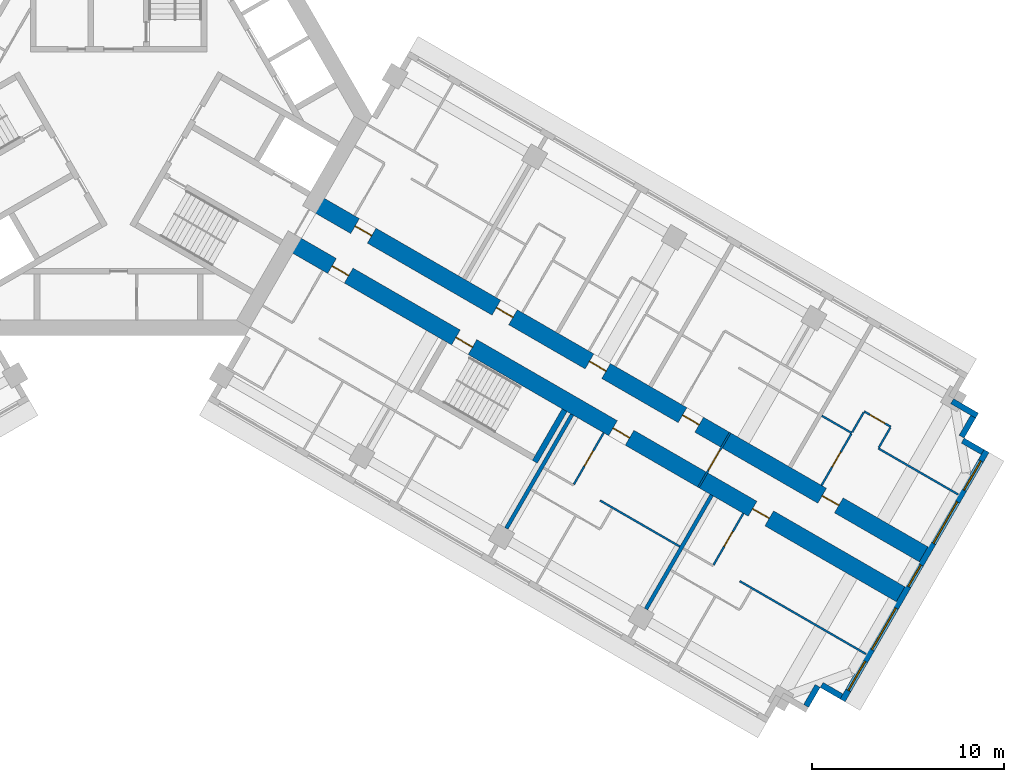
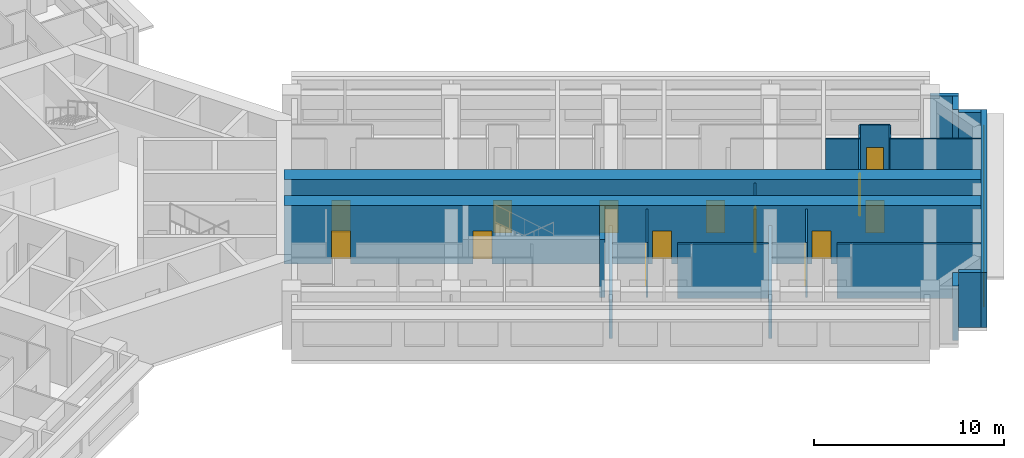
# One storey, part 11 of 14: 22 walls, 14 doors, 5 windows, 19 openings.
"""IFC4 building model written with IfcOpenShell, lengths in metres."""

from ifc_helpers import new_model, si_unit, direction, frame, frame_2d, origin, place, context, subcontext, project, spatial, rectangle, extrude, material, layer, layer_set, type_object, element, fill, save


model = new_model("IFC4")

# Units and contexts
model_context = context("Model", 3, precision=1e-05, world=origin(), true_north=direction((0.0, 1.0)))
body_context = subcontext(model_context, "Body", "Model", "MODEL_VIEW")
ifc_project = project(units=[si_unit("LENGTHUNIT", "METRE"), si_unit("AREAUNIT", "SQUARE_METRE"), si_unit("VOLUMEUNIT", "CUBIC_METRE"), si_unit("PLANEANGLEUNIT", "RADIAN"), si_unit("MASSUNIT", "GRAM", prefix="KILO")], contexts=[model_context])

# Site, building, storey
site_placement = place(None, origin())
site = spatial("IfcSite", under=ifc_project, at=site_placement, CompositionType="ELEMENT")
building_placement = place(site_placement, origin())
building = spatial("IfcBuilding", under=site, at=building_placement, Name="Impinga Residences", CompositionType="ELEMENT")
storey_placement = place(building_placement, frame((0.0, 0.0, 117.25)))
storey = spatial("IfcBuildingStorey", under=building, at=storey_placement, Name="L28", CompositionType="ELEMENT", Elevation=117.25)

# Wall, openings, doors
ifc_material_1 = material(Name="Concrete C60/75", Category="concrete")
ifc_layer_1 = layer(ifc_material_1, 0.89990234375)
ifc_layer_set_1 = layer_set([ifc_layer_1], Name="Concrete C60/75")
wall_type_1 = type_object("IfcWallType", Name="BW2 corridor buttress wall, L24 to L44 900", PredefinedType="SHEAR", material=ifc_layer_set_1)
wall_1_placement = place(storey_placement, frame((10.153564453125, -4.4765625, 0.0), z_axis=(0.0, 0.0, 1.0), x_axis=(0.866027614434, -0.499996171023, 0.0)))
wall_1 = element("IfcWall", 1, at=wall_1_placement, inside=storey, type_object=wall_type_1, Name="Corridor wall BW2 EC L28", PredefinedType="SHEAR", context=body_context, shape_type="SweptSolid", body=[
    extrude(rectangle(XDim=36.699951171875, YDim=0.89990234375, at=frame_2d((18.35009765625, 0.0))), origin(), (0.0, 0.0, 1.0), 3.75),
])
opening_1_placement = place(wall_1_placement, frame((2.5, 0.0, 0.0)))
opening_1 = element("IfcOpeningElement", 2, at=opening_1_placement, cuts=wall_1, Name="Opening D1", PredefinedType="OPENING", context=body_context, shape_type="SweptSolid", body=[
    extrude(rectangle(XDim=1.0, YDim=2.10009765625, at=frame_2d((0.5, 1.050048828125))), frame((0.0, 0.4599609375, 0.0), z_axis=(0.0, -1.0, 0.0), x_axis=(1.0, 0.0, 0.0)), (0.0, 0.0, 1.0), 0.919921875),
])
opening_2_placement = place(wall_1_placement, frame((11.0, 0.0, 0.0)))
opening_2 = element("IfcOpeningElement", 3, at=opening_2_placement, cuts=wall_1, Name="Opening D1", PredefinedType="OPENING", context=body_context, shape_type="SweptSolid", body=[
    extrude(rectangle(XDim=1.0, YDim=2.10009765625, at=frame_2d((0.5, 1.050048828125))), frame((0.0, 0.4599609375, 0.0), z_axis=(0.0, -1.0, 0.0), x_axis=(1.0, 0.0, 0.0)), (0.0, 0.0, 1.0), 0.919921875),
])
opening_3_placement = place(wall_1_placement, frame((16.60009765625, 0.0, 0.0)))
opening_3 = element("IfcOpeningElement", 4, at=opening_3_placement, cuts=wall_1, Name="Opening D1", PredefinedType="OPENING", context=body_context, shape_type="SweptSolid", body=[
    extrude(rectangle(XDim=1.0, YDim=2.10009765625, at=frame_2d((0.5, 1.050048828125))), frame((0.0, 0.4599609375, 0.0), z_axis=(0.0, -1.0, 0.0), x_axis=(1.0, 0.0, 0.0)), (0.0, 0.0, 1.0), 0.919921875),
])
opening_4_placement = place(wall_1_placement, frame((22.199951171875, 0.0, 0.0)))
opening_4 = element("IfcOpeningElement", 5, at=opening_4_placement, cuts=wall_1, Name="Opening D1", PredefinedType="OPENING", context=body_context, shape_type="SweptSolid", body=[
    extrude(rectangle(XDim=1.0, YDim=2.10009765625, at=frame_2d((0.5, 1.050048828125))), frame((0.0, 0.4599609375, 0.0), z_axis=(0.0, -1.0, 0.0), x_axis=(1.0, 0.0, 0.0)), (0.0, 0.0, 1.0), 0.919921875),
])
opening_5_placement = place(wall_1_placement, frame((30.60009765625, 0.0, 0.0)))
opening_5 = element("IfcOpeningElement", 6, at=opening_5_placement, cuts=wall_1, Name="Opening D1", PredefinedType="OPENING", context=body_context, shape_type="SweptSolid", body=[
    extrude(rectangle(XDim=1.0, YDim=2.10009765625, at=frame_2d((0.5, 1.050048828125))), frame((0.0, 0.4599609375, 0.0), z_axis=(0.0, -1.0, 0.0), x_axis=(1.0, 0.0, 0.0)), (0.0, 0.0, 1.0), 0.919921875),
])
ifc_material_2 = material(Name="Timber door set", Category="wood")
door_type_1 = type_object("IfcDoorType", Name="D1 apartment entrance door 1000x2100", OperationType="SINGLE_SWING_LEFT", PredefinedType="DOOR", material=ifc_material_2)
door_1_placement = place(opening_1_placement, origin())
door_1 = element("IfcDoor", 7, at=door_1_placement, inside=storey, type_object=door_type_1, Name="Apartment L28-EA1 entrance", OperationType="SINGLE_SWING_LEFT", OverallHeight=2.10009765625, OverallWidth=1.0, PredefinedType="DOOR", context=body_context, shape_type="SweptSolid", body=[
    extrude(rectangle(XDim=1.0, YDim=2.10009765625, at=frame_2d((0.5, 1.050048828125))), frame((0.0, 0.02490234375, 0.0), z_axis=(0.0, -1.0, 0.0), x_axis=(1.0, 0.0, 0.0)), (0.0, 0.0, 1.0), 0.050048828125),
])
fill(opening_1, door_1)
door_2_placement = place(opening_2_placement, origin())
door_2 = element("IfcDoor", 8, at=door_2_placement, inside=storey, type_object=door_type_1, Name="Apartment L28-EA2 entrance", OperationType="SINGLE_SWING_LEFT", OverallHeight=2.10009765625, OverallWidth=1.0, PredefinedType="DOOR", context=body_context, shape_type="SweptSolid", body=[
    extrude(rectangle(XDim=1.0, YDim=2.10009765625, at=frame_2d((0.5, 1.050048828125))), frame((0.0, 0.02490234375, 0.0), z_axis=(0.0, -1.0, 0.0), x_axis=(1.0, 0.0, 0.0)), (0.0, 0.0, 1.0), 0.050048828125),
])
fill(opening_2, door_2)
door_3_placement = place(opening_3_placement, origin())
door_3 = element("IfcDoor", 9, at=door_3_placement, inside=storey, type_object=door_type_1, Name="Apartment L28-EA3 entrance", OperationType="SINGLE_SWING_LEFT", OverallHeight=2.10009765625, OverallWidth=1.0, PredefinedType="DOOR", context=body_context, shape_type="SweptSolid", body=[
    extrude(rectangle(XDim=1.0, YDim=2.10009765625, at=frame_2d((0.5, 1.050048828125))), frame((0.0, 0.02490234375, 0.0), z_axis=(0.0, -1.0, 0.0), x_axis=(1.0, 0.0, 0.0)), (0.0, 0.0, 1.0), 0.050048828125),
])
fill(opening_3, door_3)
door_4_placement = place(opening_4_placement, origin())
door_4 = element("IfcDoor", 10, at=door_4_placement, inside=storey, type_object=door_type_1, Name="Apartment L28-EA4 entrance", OperationType="SINGLE_SWING_RIGHT", OverallHeight=2.10009765625, OverallWidth=1.0, PredefinedType="DOOR", context=body_context, shape_type="SweptSolid", body=[
    extrude(rectangle(XDim=1.0, YDim=2.10009765625, at=frame_2d((0.5, 1.050048828125))), frame((0.0, 0.02490234375, 0.0), z_axis=(0.0, -1.0, 0.0), x_axis=(1.0, 0.0, 0.0)), (0.0, 0.0, 1.0), 0.050048828125),
])
fill(opening_4, door_4)
door_5_placement = place(opening_5_placement, origin())
door_5 = element("IfcDoor", 11, at=door_5_placement, inside=storey, type_object=door_type_1, Name="Apartment L28-EA5 entrance", OperationType="SINGLE_SWING_RIGHT", OverallHeight=2.10009765625, OverallWidth=1.0, PredefinedType="DOOR", context=body_context, shape_type="SweptSolid", body=[
    extrude(rectangle(XDim=1.0, YDim=2.10009765625, at=frame_2d((0.5, 1.050048828125))), frame((0.0, 0.02490234375, 0.0), z_axis=(0.0, -1.0, 0.0), x_axis=(1.0, 0.0, 0.0)), (0.0, 0.0, 1.0), 0.050048828125),
])
fill(opening_5, door_5)

wall_2_placement = place(storey_placement, frame((8.95361328125, -6.554931640625, 0.0), z_axis=(0.0, 0.0, 1.0), x_axis=(0.866024733898, -0.500001160275, 0.0)))
wall_2 = element("IfcWall", 12, at=wall_2_placement, inside=storey, type_object=wall_type_1, Name="Corridor wall BW2 ED L28", PredefinedType="SHEAR", context=body_context, shape_type="SweptSolid", body=[
    extrude(rectangle(XDim=36.7001953125, YDim=0.89990234375, at=frame_2d((18.35009765625, 0.0))), origin(), (0.0, 0.0, 1.0), 3.75),
])
opening_6_placement = place(wall_2_placement, frame((9.949951171875, 0.0, 0.0)))
opening_6 = element("IfcOpeningElement", 13, at=opening_6_placement, cuts=wall_2, Name="Opening D5", PredefinedType="OPENING", context=body_context, shape_type="SweptSolid", body=[
    extrude(rectangle(XDim=1.0, YDim=2.10009765625, at=frame_2d((0.5, 1.050048828125))), frame((0.0, 0.4599609375, 0.0), z_axis=(0.0, -1.0, 0.0), x_axis=(1.0, 0.0, 0.0)), (0.0, 0.0, 1.0), 0.919921875),
])
opening_7_placement = place(wall_2_placement, frame((2.5, 0.0, 0.0)))
opening_7 = element("IfcOpeningElement", 14, at=opening_7_placement, cuts=wall_2, Name="Opening D1", PredefinedType="OPENING", context=body_context, shape_type="SweptSolid", body=[
    extrude(rectangle(XDim=1.0, YDim=2.10009765625, at=frame_2d((0.5, 1.050048828125))), frame((0.0, 0.4599609375, 0.0), z_axis=(0.0, -1.0, 0.0), x_axis=(1.0, 0.0, 0.0)), (0.0, 0.0, 1.0), 0.919921875),
])
opening_8_placement = place(wall_2_placement, frame((19.39990234375, 0.0, 0.0)))
opening_8 = element("IfcOpeningElement", 15, at=opening_8_placement, cuts=wall_2, Name="Opening D1", PredefinedType="OPENING", context=body_context, shape_type="SweptSolid", body=[
    extrude(rectangle(XDim=1.0, YDim=2.10009765625, at=frame_2d((0.5, 1.050048828125))), frame((0.0, 0.4599609375, 0.0), z_axis=(0.0, -1.0, 0.0), x_axis=(1.0, 0.0, 0.0)), (0.0, 0.0, 1.0), 0.919921875),
])
opening_9_placement = place(wall_2_placement, frame((27.800048828125, 0.0, 0.0)))
opening_9 = element("IfcOpeningElement", 16, at=opening_9_placement, cuts=wall_2, Name="Opening D1", PredefinedType="OPENING", context=body_context, shape_type="SweptSolid", body=[
    extrude(rectangle(XDim=1.0, YDim=2.10009765625, at=frame_2d((0.5, 1.050048828125))), frame((0.0, 0.4599609375, 0.0), z_axis=(0.0, -1.0, 0.0), x_axis=(1.0, 0.0, 0.0)), (0.0, 0.0, 1.0), 0.919921875),
])
door_6_placement = place(opening_7_placement, origin())
door_6 = element("IfcDoor", 17, at=door_6_placement, inside=storey, type_object=door_type_1, Name="Apartment L28-EF1 entrance", OperationType="SINGLE_SWING_LEFT", OverallHeight=2.10009765625, OverallWidth=1.0, PredefinedType="DOOR", context=body_context, shape_type="SweptSolid", body=[
    extrude(rectangle(XDim=1.0, YDim=2.10009765625, at=frame_2d((0.5, 1.050048828125))), frame((0.0, 0.02490234375, 0.0), z_axis=(0.0, -1.0, 0.0), x_axis=(1.0, 0.0, 0.0)), (0.0, 0.0, 1.0), 0.050048828125),
])
fill(opening_7, door_6)
door_7_placement = place(opening_8_placement, origin())
door_7 = element("IfcDoor", 18, at=door_7_placement, inside=storey, type_object=door_type_1, Name="Apartment L28-EF2 entrance", OperationType="SINGLE_SWING_RIGHT", OverallHeight=2.10009765625, OverallWidth=1.0, PredefinedType="DOOR", context=body_context, shape_type="SweptSolid", body=[
    extrude(rectangle(XDim=1.0, YDim=2.10009765625, at=frame_2d((0.5, 1.050048828125))), frame((0.0, 0.02490234375, 0.0), z_axis=(0.0, -1.0, 0.0), x_axis=(1.0, 0.0, 0.0)), (0.0, 0.0, 1.0), 0.050048828125),
])
fill(opening_8, door_7)
door_8_placement = place(opening_9_placement, origin())
door_8 = element("IfcDoor", 19, at=door_8_placement, inside=storey, type_object=door_type_1, Name="Apartment L28-EF3 entrance", OperationType="SINGLE_SWING_RIGHT", OverallHeight=2.10009765625, OverallWidth=1.0, PredefinedType="DOOR", context=body_context, shape_type="SweptSolid", body=[
    extrude(rectangle(XDim=1.0, YDim=2.10009765625, at=frame_2d((0.5, 1.050048828125))), frame((0.0, 0.02490234375, 0.0), z_axis=(0.0, -1.0, 0.0), x_axis=(1.0, 0.0, 0.0)), (0.0, 0.0, 1.0), 0.050048828125),
])
fill(opening_9, door_8)
door_type_2 = type_object("IfcDoorType", Name="D5 stair door 1000x2100", OperationType="SINGLE_SWING_LEFT", PredefinedType="DOOR", material=ifc_material_2)
door_9_placement = place(opening_6_placement, origin())
door_9 = element("IfcDoor", 20, at=door_9_placement, inside=storey, type_object=door_type_2, Name="Wing stair door E", OperationType="SINGLE_SWING_LEFT", OverallHeight=2.10009765625, OverallWidth=1.0, PredefinedType="DOOR", context=body_context, shape_type="SweptSolid", body=[
    extrude(rectangle(XDim=1.0, YDim=2.10009765625, at=frame_2d((0.5, 1.050048828125))), frame((0.0, 0.02490234375, 0.0), z_axis=(0.0, -1.0, 0.0), x_axis=(1.0, 0.0, 0.0)), (0.0, 0.0, 1.0), 0.050048828125),
])
fill(opening_6, door_9)

# Wall, opening, door
ifc_material_3 = material(Name="Concrete blockwork", Category="masonry")
ifc_layer_2 = layer(ifc_material_3, 0.10009765625)
ifc_layer_set_2 = layer_set([ifc_layer_2], Name="CP1 core room partition, blockwork 100")
wall_type_2 = type_object("IfcWallType", Name="CP1 core room partition, blockwork 100", PredefinedType="PARTITIONING", material=ifc_layer_set_2)
wall_3_placement = place(storey_placement, frame((31.85595703125, -16.48681640625, 0.0), z_axis=(0.0, 0.0, 1.0), x_axis=(-0.499974350878, -0.866040211805, 0.0)))
wall_3 = element("IfcWall", 21, at=wall_3_placement, inside=storey, type_object=wall_type_2, Name="Core room partition, blockwork L28:E:PLB", PredefinedType="PARTITIONING", context=body_context, shape_type="SweptSolid", body=[
    extrude(rectangle(XDim=3.300048828125, YDim=0.10009765625, at=frame_2d((1.64990234375, 0.0))), origin(), (0.0, 0.0, 1.0), 3.530029296875),
])
opening_10_placement = place(wall_3_placement, frame((1.050048828125, 0.0, 0.0)))
opening_10 = element("IfcOpeningElement", 22, at=opening_10_placement, cuts=wall_3, Name="Opening D3", PredefinedType="OPENING", context=body_context, shape_type="SweptSolid", body=[
    extrude(rectangle(XDim=1.199951171875, YDim=2.10009765625, at=frame_2d((0.60009765625, 1.050048828125))), frame((0.0, 0.06005859375, 0.0), z_axis=(0.0, -1.0, 0.0), x_axis=(1.0, 0.0, 0.0)), (0.0, 0.0, 1.0), 0.1201171875),
])
door_type_3 = type_object("IfcDoorType", Name="D3 room door, leaf and a half 1200x2100", OperationType="DOUBLE_SWING_LEFT", PredefinedType="DOOR", material=ifc_material_2)
door_10_placement = place(opening_10_placement, origin())
door_10 = element("IfcDoor", 23, at=door_10_placement, inside=storey, type_object=door_type_3, Name="Private lobby door E", OperationType="DOUBLE_SWING_LEFT", OverallHeight=2.10009765625, OverallWidth=1.199951171875, PredefinedType="DOOR", context=body_context, shape_type="SweptSolid", body=[
    extrude(rectangle(XDim=1.199951171875, YDim=2.10009765625, at=frame_2d((0.60009765625, 1.050048828125))), frame((0.0, 0.02490234375, 0.0), z_axis=(0.0, -1.0, 0.0), x_axis=(1.0, 0.0, 0.0)), (0.0, 0.0, 1.0), 0.050048828125),
])
fill(opening_10, door_10)

# Walls
ifc_material_4 = material(Name="Terracotta rainscreen on blockwork", Category="masonry")
ifc_layer_3 = layer(ifc_material_4, 0.300048828125)
ifc_layer_set_3 = layer_set([ifc_layer_3], Name="EW1 external wall, terracotta rainscreen on blockwork 300")
wall_type_3 = type_object("IfcWallType", Name="EW1 external wall, terracotta rainscreen on blockwork 300", PredefinedType="SOLIDWALL", material=ifc_layer_set_3)
wall_4_placement = place(storey_placement, frame((43.42333984375, -14.8515625, 0.0), z_axis=(0.0, 0.0, 1.0), x_axis=(0.866031096941, -0.499990139034, 0.0)))
element("IfcWall", 24, at=wall_4_placement, inside=storey, type_object=wall_type_3, Name="External wall EW1 L28", PredefinedType="SOLIDWALL", context=body_context, shape_type="SweptSolid", body=[
    extrude(rectangle(XDim=1.5, YDim=0.300048828125, at=frame_2d((0.75, 0.0))), origin(), (0.0, 0.0, 1.0), 3.530029296875),
])
wall_5_placement = place(storey_placement, frame((44.517578125, -15.65625, 0.0), z_axis=(0.0, 0.0, 1.0), x_axis=(-0.500033551112, -0.866006032174, 0.0)))
element("IfcWall", 25, at=wall_5_placement, inside=storey, type_object=wall_type_3, Name="External wall EW1 L28", PredefinedType="SOLIDWALL", context=body_context, shape_type="SweptSolid", body=[
    extrude(rectangle(XDim=1.2001953125, YDim=0.300048828125, at=frame_2d((0.60009765625, 0.0))), origin(), (0.0, 0.0, 1.0), 3.530029296875),
])
wall_6_placement = place(storey_placement, frame((43.976806640625, -16.903076171875, 0.0), z_axis=(0.0, 0.0, 1.0), x_axis=(0.866059708757, -0.499940577336, 0.0)))
element("IfcWall", 26, at=wall_6_placement, inside=storey, type_object=wall_type_3, Name="External wall EW1 L28", PredefinedType="SOLIDWALL", context=body_context, shape_type="SweptSolid", body=[
    extrude(rectangle(XDim=1.195068359375, YDim=0.300048828125, at=frame_2d((0.59765625, 0.0))), origin(), (0.0, 0.0, 1.0), 3.530029296875),
])

# Wall, openings, windows
wall_7_placement = place(storey_placement, frame((45.216552734375, -17.445556640625, 0.0), z_axis=(0.0, 0.0, 1.0), x_axis=(-0.499997186618, -0.866027028085, 0.0)))
wall_7 = element("IfcWall", 27, at=wall_7_placement, inside=storey, type_object=wall_type_3, Name="External wall EW1 L28", PredefinedType="SOLIDWALL", context=body_context, shape_type="SweptSolid", body=[
    extrude(rectangle(XDim=15.0, YDim=0.300048828125, at=frame_2d((7.5, 0.0))), origin(), (0.0, 0.0, 1.0), 3.530029296875),
])
opening_11_placement = place(wall_7_placement, frame((0.60009765625, 0.0, 0.89990234375)))
opening_11 = element("IfcOpeningElement", 28, at=opening_11_placement, cuts=wall_7, Name="Opening W1", PredefinedType="OPENING", context=body_context, shape_type="SweptSolid", body=[
    extrude(rectangle(XDim=1.75, YDim=2.050048828125, at=frame_2d((0.875, 1.02490234375))), frame((0.0, 0.159912109375, 0.0), z_axis=(0.0, -1.0, 0.0), x_axis=(1.0, 0.0, 0.0)), (0.0, 0.0, 1.0), 0.320068359375),
])
opening_12_placement = place(wall_7_placement, frame((3.050048828125, 0.0, 0.89990234375)))
opening_12 = element("IfcOpeningElement", 29, at=opening_12_placement, cuts=wall_7, Name="Opening W2", PredefinedType="OPENING", context=body_context, shape_type="SweptSolid", body=[
    extrude(rectangle(XDim=2.5, YDim=2.050048828125, at=frame_2d((1.25, 1.02490234375))), frame((0.0, 0.159912109375, 0.0), z_axis=(0.0, -1.0, 0.0), x_axis=(1.0, 0.0, 0.0)), (0.0, 0.0, 1.0), 0.320068359375),
])
opening_13_placement = place(wall_7_placement, frame((6.85009765625, 0.0, 0.89990234375)))
opening_13 = element("IfcOpeningElement", 30, at=opening_13_placement, cuts=wall_7, Name="Opening W17", PredefinedType="OPENING", context=body_context, shape_type="SweptSolid", body=[
    extrude(rectangle(XDim=1.300048828125, YDim=2.050048828125, at=frame_2d((0.64990234375, 1.02490234375))), frame((0.0, 0.159912109375, 0.0), z_axis=(0.0, -1.0, 0.0), x_axis=(1.0, 0.0, 0.0)), (0.0, 0.0, 1.0), 0.320068359375),
])
opening_14_placement = place(wall_7_placement, frame((9.449951171875, 0.0, 0.89990234375)))
opening_14 = element("IfcOpeningElement", 31, at=opening_14_placement, cuts=wall_7, Name="Opening W2", PredefinedType="OPENING", context=body_context, shape_type="SweptSolid", body=[
    extrude(rectangle(XDim=2.5, YDim=2.050048828125, at=frame_2d((1.25, 1.02490234375))), frame((0.0, 0.159912109375, 0.0), z_axis=(0.0, -1.0, 0.0), x_axis=(1.0, 0.0, 0.0)), (0.0, 0.0, 1.0), 0.320068359375),
])
opening_15_placement = place(wall_7_placement, frame((12.64990234375, 0.0, 0.89990234375)))
opening_15 = element("IfcOpeningElement", 32, at=opening_15_placement, cuts=wall_7, Name="Opening W1", PredefinedType="OPENING", context=body_context, shape_type="SweptSolid", body=[
    extrude(rectangle(XDim=1.75, YDim=2.050048828125, at=frame_2d((0.875, 1.02490234375))), frame((0.0, 0.159912109375, 0.0), z_axis=(0.0, -1.0, 0.0), x_axis=(1.0, 0.0, 0.0)), (0.0, 0.0, 1.0), 0.320068359375),
])
ifc_material_5 = material(Name="Aluminium window, clear double glazing", Category="aluminium")
window_type_1 = type_object("IfcWindowType", Name="W1 ribbon window 1750x2050", PartitioningType="SINGLE_PANEL", PredefinedType="WINDOW", material=ifc_material_5)
window_1_placement = place(opening_11_placement, origin())
window_1 = element("IfcWindow", 33, at=window_1_placement, inside=storey, type_object=window_type_1, Name="Window L28", OverallHeight=2.050048828125, OverallWidth=1.75, PartitioningType="SINGLE_PANEL", PredefinedType="WINDOW", context=body_context, shape_type="SweptSolid", body=[
    extrude(rectangle(XDim=1.75, YDim=2.050048828125, at=frame_2d((0.875, 1.02490234375))), frame((0.0, 0.030029296875, 0.0), z_axis=(0.0, -1.0, 0.0), x_axis=(1.0, 0.0, 0.0)), (0.0, 0.0, 1.0), 0.06005859375),
])
fill(opening_11, window_1)
window_2_placement = place(opening_15_placement, origin())
window_2 = element("IfcWindow", 34, at=window_2_placement, inside=storey, type_object=window_type_1, Name="Window L28", OverallHeight=2.050048828125, OverallWidth=1.75, PartitioningType="SINGLE_PANEL", PredefinedType="WINDOW", context=body_context, shape_type="SweptSolid", body=[
    extrude(rectangle(XDim=1.75, YDim=2.050048828125, at=frame_2d((0.875, 1.02490234375))), frame((0.0, 0.030029296875, 0.0), z_axis=(0.0, -1.0, 0.0), x_axis=(1.0, 0.0, 0.0)), (0.0, 0.0, 1.0), 0.06005859375),
])
fill(opening_15, window_2)
window_type_2 = type_object("IfcWindowType", Name="W17 ribbon window 1300x2050", PartitioningType="SINGLE_PANEL", PredefinedType="WINDOW", material=ifc_material_5)
window_3_placement = place(opening_13_placement, origin())
window_3 = element("IfcWindow", 35, at=window_3_placement, inside=storey, type_object=window_type_2, Name="Window L28", OverallHeight=2.050048828125, OverallWidth=1.300048828125, PartitioningType="SINGLE_PANEL", PredefinedType="WINDOW", context=body_context, shape_type="SweptSolid", body=[
    extrude(rectangle(XDim=1.300048828125, YDim=2.050048828125, at=frame_2d((0.64990234375, 1.02490234375))), frame((0.0, 0.030029296875, 0.0), z_axis=(0.0, -1.0, 0.0), x_axis=(1.0, 0.0, 0.0)), (0.0, 0.0, 1.0), 0.06005859375),
])
fill(opening_13, window_3)
window_type_3 = type_object("IfcWindowType", Name="W2 ribbon window 2500x2050", PartitioningType="SINGLE_PANEL", PredefinedType="WINDOW", material=ifc_material_5)
window_4_placement = place(opening_12_placement, origin())
window_4 = element("IfcWindow", 36, at=window_4_placement, inside=storey, type_object=window_type_3, Name="Window L28", OverallHeight=2.050048828125, OverallWidth=2.5, PartitioningType="SINGLE_PANEL", PredefinedType="WINDOW", context=body_context, shape_type="SweptSolid", body=[
    extrude(rectangle(XDim=2.5, YDim=2.050048828125, at=frame_2d((1.25, 1.02490234375))), frame((0.0, 0.030029296875, 0.0), z_axis=(0.0, -1.0, 0.0), x_axis=(1.0, 0.0, 0.0)), (0.0, 0.0, 1.0), 0.06005859375),
])
fill(opening_12, window_4)
window_5_placement = place(opening_14_placement, origin())
window_5 = element("IfcWindow", 37, at=window_5_placement, inside=storey, type_object=window_type_3, Name="Window L28", OverallHeight=2.050048828125, OverallWidth=2.5, PartitioningType="SINGLE_PANEL", PredefinedType="WINDOW", context=body_context, shape_type="SweptSolid", body=[
    extrude(rectangle(XDim=2.5, YDim=2.050048828125, at=frame_2d((1.25, 1.02490234375))), frame((0.0, 0.030029296875, 0.0), z_axis=(0.0, -1.0, 0.0), x_axis=(1.0, 0.0, 0.0)), (0.0, 0.0, 1.0), 0.06005859375),
])
fill(opening_14, window_5)

# Walls
wall_8_placement = place(storey_placement, frame((37.66162109375, -30.23095703125, 0.0), z_axis=(0.0, 0.0, 1.0), x_axis=(-0.866059708757, 0.499940577336, 0.0)))
element("IfcWall", 38, at=wall_8_placement, inside=storey, type_object=wall_type_3, Name="External wall EW1 L28", PredefinedType="SOLIDWALL", context=body_context, shape_type="SweptSolid", body=[
    extrude(rectangle(XDim=1.195068359375, YDim=0.300048828125, at=frame_2d((0.59765625, 0.0))), origin(), (0.0, 0.0, 1.0), 3.530029296875),
])
wall_9_placement = place(storey_placement, frame((36.41748046875, -29.68603515625, 0.0), z_axis=(0.0, 0.0, 1.0), x_axis=(-0.499969057507, -0.866043267704, 0.0)))
element("IfcWall", 39, at=wall_9_placement, inside=storey, type_object=wall_type_3, Name="External wall EW1 L28", PredefinedType="SOLIDWALL", context=body_context, shape_type="SweptSolid", body=[
    extrude(rectangle(XDim=1.19970703125, YDim=0.300048828125, at=frame_2d((0.599853515625, 0.0))), origin(), (0.0, 0.0, 1.0), 3.530029296875),
])
ifc_material_6 = material(Name="Gypsum board on steel studs", Category="steel")
ifc_layer_4 = layer(ifc_material_6, 0.10009765625)
ifc_layer_set_4 = layer_set([ifc_layer_4], Name="Gypsum board on steel studs")
wall_type_4 = type_object("IfcWallType", Name="IP1 partition 100", PredefinedType="PARTITIONING", material=ifc_layer_set_4)
wall_10_placement = place(storey_placement, frame((36.63525390625, -15.60888671875, 0.0), z_axis=(0.0, 0.0, 1.0), x_axis=(0.866047807691, -0.499961193289, 0.0)))
element("IfcWall", 40, at=wall_10_placement, inside=storey, type_object=wall_type_4, Name="Partition L28-EA5:DIV0", PredefinedType="PARTITIONING", context=body_context, shape_type="SweptSolid", body=[
    extrude(rectangle(XDim=1.800048828125, YDim=0.10009765625, at=frame_2d((0.89990234375, 0.0))), origin(), (0.0, 0.0, 1.0), 3.530029296875),
])
wall_11_placement = place(storey_placement, frame((39.579833984375, -17.308837890625, 0.0), z_axis=(0.0, 0.0, 1.0), x_axis=(0.866037363387, -0.499979284789, 0.0)))
element("IfcWall", 41, at=wall_11_placement, inside=storey, type_object=wall_type_4, Name="Partition L28-EA5:DIV1", PredefinedType="PARTITIONING", context=body_context, shape_type="SweptSolid", body=[
    extrude(rectangle(XDim=4.800048828125, YDim=0.10009765625, at=frame_2d((2.39990234375, 0.0))), origin(), (0.0, 0.0, 1.0), 3.530029296875),
])

# Wall, opening, door
wall_12_placement = place(storey_placement, frame((38.84423828125, -15.383056640625, 0.0), z_axis=(0.0, 0.0, 1.0), x_axis=(0.865989903783, -0.500061482766, 0.0)))
wall_12 = element("IfcWall", 42, at=wall_12_placement, inside=storey, type_object=wall_type_4, Name="Partition L28-EA5:STRIP", PredefinedType="PARTITIONING", context=body_context, shape_type="SweptSolid", body=[
    extrude(rectangle(XDim=1.599853515625, YDim=0.10009765625, at=frame_2d((0.7998046875, 0.0))), origin(), (0.0, 0.0, 1.0), 3.530029296875),
])
opening_16_placement = place(wall_12_placement, frame((0.35009765625, 0.0, 0.0)))
opening_16 = element("IfcOpeningElement", 43, at=opening_16_placement, cuts=wall_12, Name="Opening D2", PredefinedType="OPENING", context=body_context, shape_type="SweptSolid", body=[
    extrude(rectangle(XDim=0.89990234375, YDim=2.10009765625, at=frame_2d((0.449951171875, 1.050048828125))), frame((0.0, 0.06005859375, 0.0), z_axis=(0.0, -1.0, 0.0), x_axis=(1.0, 0.0, 0.0)), (0.0, 0.0, 1.0), 0.1201171875),
])
door_type_4 = type_object("IfcDoorType", Name="D2 internal door 900x2100", OperationType="SINGLE_SWING_LEFT", PredefinedType="DOOR", material=ifc_material_2)
door_11_placement = place(opening_16_placement, origin())
door_11 = element("IfcDoor", 44, at=door_11_placement, inside=storey, type_object=door_type_4, Name="Apartment L28-EA5 room door", OperationType="SINGLE_SWING_LEFT", OverallHeight=2.10009765625, OverallWidth=0.89990234375, PredefinedType="DOOR", context=body_context, shape_type="SweptSolid", body=[
    extrude(rectangle(XDim=0.89990234375, YDim=2.10009765625, at=frame_2d((0.449951171875, 1.050048828125))), frame((0.0, 0.02490234375, 0.0), z_axis=(0.0, -1.0, 0.0), x_axis=(1.0, 0.0, 0.0)), (0.0, 0.0, 1.0), 0.050048828125),
])
fill(opening_16, door_11)

# Walls
wall_13_placement = place(storey_placement, frame((38.21923828125, -16.465576171875, 0.0), z_axis=(0.0, 0.0, 1.0), x_axis=(0.499880961361, 0.866094119867, 0.0)))
element("IfcWall", 45, at=wall_13_placement, inside=storey, type_object=wall_type_4, Name="Partition L28-EA5:SE0", PredefinedType="PARTITIONING", context=body_context, shape_type="SweptSolid", body=[
    extrude(rectangle(XDim=1.199951171875, YDim=0.10009765625, at=frame_2d((0.60009765625, 0.0))), origin(), (0.0, 0.0, 1.0), 3.530029296875),
])
wall_14_placement = place(storey_placement, frame((39.604736328125, -17.265625, 0.0), z_axis=(0.0, 0.0, 1.0), x_axis=(0.500033551112, 0.866006032174, 0.0)))
element("IfcWall", 46, at=wall_14_placement, inside=storey, type_object=wall_type_4, Name="Partition L28-EA5:SE1", PredefinedType="PARTITIONING", context=body_context, shape_type="SweptSolid", body=[
    extrude(rectangle(XDim=1.2001953125, YDim=0.10009765625, at=frame_2d((0.60009765625, 0.0))), origin(), (0.0, 0.0, 1.0), 3.530029296875),
])

# Wall, opening, door
wall_15_placement = place(storey_placement, frame((36.619140625, -19.23681640625, 0.0), z_axis=(0.0, 0.0, 1.0), x_axis=(0.500026960575, 0.86600983753, 0.0)))
wall_15 = element("IfcWall", 47, at=wall_15_placement, inside=storey, type_object=wall_type_4, Name="Partition L28-EA5:IB1", PredefinedType="PARTITIONING", context=body_context, shape_type="SweptSolid", body=[
    extrude(rectangle(XDim=3.099853515625, YDim=0.10009765625, at=frame_2d((1.5498046875, 0.0))), origin(), (0.0, 0.0, 1.0), 3.530029296875),
])
opening_17_placement = place(wall_15_placement, frame((1.10009765625, 0.0, 0.0)))
opening_17 = element("IfcOpeningElement", 48, at=opening_17_placement, cuts=wall_15, Name="Opening D2", PredefinedType="OPENING", context=body_context, shape_type="SweptSolid", body=[
    extrude(rectangle(XDim=0.89990234375, YDim=2.10009765625, at=frame_2d((0.449951171875, 1.050048828125))), frame((0.0, 0.06005859375, 0.0), z_axis=(0.0, -1.0, 0.0), x_axis=(1.0, 0.0, 0.0)), (0.0, 0.0, 1.0), 0.1201171875),
])
door_12_placement = place(opening_17_placement, origin())
door_12 = element("IfcDoor", 49, at=door_12_placement, inside=storey, type_object=door_type_4, Name="Apartment L28-EA5 bathroom door", OperationType="SINGLE_SWING_LEFT", OverallHeight=2.10009765625, OverallWidth=0.89990234375, PredefinedType="DOOR", context=body_context, shape_type="SweptSolid", body=[
    extrude(rectangle(XDim=0.89990234375, YDim=2.10009765625, at=frame_2d((0.449951171875, 1.050048828125))), frame((0.0, 0.02490234375, 0.0), z_axis=(0.0, -1.0, 0.0), x_axis=(1.0, 0.0, 0.0)), (0.0, 0.0, 1.0), 0.050048828125),
])
fill(opening_17, door_12)

# Wall
wall_16_placement = place(storey_placement, frame((25.080322265625, -20.022705078125, 0.0), z_axis=(0.0, 0.0, 1.0), x_axis=(0.866037363387, -0.499979284789, 0.0)))
element("IfcWall", 50, at=wall_16_placement, inside=storey, type_object=wall_type_4, Name="Partition L28-EF2:DIV1", PredefinedType="PARTITIONING", context=body_context, shape_type="SweptSolid", body=[
    extrude(rectangle(XDim=4.800048828125, YDim=0.10009765625, at=frame_2d((2.39990234375, 0.0))), origin(), (0.0, 0.0, 1.0), 3.530029296875),
])

# Wall, opening, door
wall_17_placement = place(storey_placement, frame((25.269775390625, -16.49462890625, 0.0), z_axis=(0.0, 0.0, 1.0), x_axis=(-0.49999285859, -0.86602952684, 0.0)))
wall_17 = element("IfcWall", 51, at=wall_17_placement, inside=storey, type_object=wall_type_4, Name="Partition L28-EF2:IB1", PredefinedType="PARTITIONING", context=body_context, shape_type="SweptSolid", body=[
    extrude(rectangle(XDim=3.10009765625, YDim=0.10009765625, at=frame_2d((1.550048828125, 0.0))), origin(), (0.0, 0.0, 1.0), 3.530029296875),
])
opening_18_placement = place(wall_17_placement, frame((1.10009765625, 0.0, 0.0)))
opening_18 = element("IfcOpeningElement", 52, at=opening_18_placement, cuts=wall_17, Name="Opening D2", PredefinedType="OPENING", context=body_context, shape_type="SweptSolid", body=[
    extrude(rectangle(XDim=0.89990234375, YDim=2.10009765625, at=frame_2d((0.449951171875, 1.050048828125))), frame((0.0, 0.06005859375, 0.0), z_axis=(0.0, -1.0, 0.0), x_axis=(1.0, 0.0, 0.0)), (0.0, 0.0, 1.0), 0.1201171875),
])
door_13_placement = place(opening_18_placement, origin())
door_13 = element("IfcDoor", 53, at=door_13_placement, inside=storey, type_object=door_type_4, Name="Apartment L28-EF2 bathroom door", OperationType="SINGLE_SWING_LEFT", OverallHeight=2.10009765625, OverallWidth=0.89990234375, PredefinedType="DOOR", context=body_context, shape_type="SweptSolid", body=[
    extrude(rectangle(XDim=0.89990234375, YDim=2.10009765625, at=frame_2d((0.449951171875, 1.050048828125))), frame((0.0, 0.02490234375, 0.0), z_axis=(0.0, -1.0, 0.0), x_axis=(1.0, 0.0, 0.0)), (0.0, 0.0, 1.0), 0.050048828125),
])
fill(opening_18, door_13)

# Wall
wall_18_placement = place(storey_placement, frame((32.35498046875, -24.22265625, 0.0), z_axis=(0.0, 0.0, 1.0), x_axis=(0.866022425744, -0.500005158081, 0.0)))
element("IfcWall", 54, at=wall_18_placement, inside=storey, type_object=wall_type_4, Name="Partition L28-EF3:DIV1", PredefinedType="PARTITIONING", context=body_context, shape_type="SweptSolid", body=[
    extrude(rectangle(XDim=7.60009765625, YDim=0.10009765625, at=frame_2d((3.800048828125, 0.0))), origin(), (0.0, 0.0, 1.0), 3.530029296875),
])

# Wall, opening, door
wall_19_placement = place(storey_placement, frame((32.544189453125, -20.69482421875, 0.0), z_axis=(0.0, 0.0, 1.0), x_axis=(-0.499967891604, -0.866043940782, 0.0)))
wall_19 = element("IfcWall", 55, at=wall_19_placement, inside=storey, type_object=wall_type_4, Name="Partition L28-EF3:IB1", PredefinedType="PARTITIONING", context=body_context, shape_type="SweptSolid", body=[
    extrude(rectangle(XDim=3.099853515625, YDim=0.10009765625, at=frame_2d((1.5498046875, 0.0))), origin(), (0.0, 0.0, 1.0), 3.530029296875),
])
opening_19_placement = place(wall_19_placement, frame((1.10009765625, 0.0, 0.0)))
opening_19 = element("IfcOpeningElement", 56, at=opening_19_placement, cuts=wall_19, Name="Opening D2", PredefinedType="OPENING", context=body_context, shape_type="SweptSolid", body=[
    extrude(rectangle(XDim=0.89990234375, YDim=2.10009765625, at=frame_2d((0.449951171875, 1.050048828125))), frame((0.0, 0.06005859375, 0.0), z_axis=(0.0, -1.0, 0.0), x_axis=(1.0, 0.0, 0.0)), (0.0, 0.0, 1.0), 0.1201171875),
])
door_14_placement = place(opening_19_placement, origin())
door_14 = element("IfcDoor", 57, at=door_14_placement, inside=storey, type_object=door_type_4, Name="Apartment L28-EF3 bathroom door", OperationType="SINGLE_SWING_LEFT", OverallHeight=2.10009765625, OverallWidth=0.89990234375, PredefinedType="DOOR", context=body_context, shape_type="SweptSolid", body=[
    extrude(rectangle(XDim=0.89990234375, YDim=2.10009765625, at=frame_2d((0.449951171875, 1.050048828125))), frame((0.0, 0.02490234375, 0.0), z_axis=(0.0, -1.0, 0.0), x_axis=(1.0, 0.0, 0.0)), (0.0, 0.0, 1.0), 0.050048828125),
])
fill(opening_19, door_14)

# Walls
ifc_layer_5 = layer(ifc_material_3, 0.199951171875)
ifc_layer_set_5 = layer_set([ifc_layer_5], Name="PW1 party wall between apartments 200")
wall_type_5 = type_object("IfcWallType", Name="PW1 party wall between apartments 200", PredefinedType="SOLIDWALL", material=ifc_layer_set_5)
for number, where, z_axis, x_axis, name in (
    (58, (23.624267578125, -15.544677734375, 0.0), (0.0, 0.0, 1.0), (-0.499999086063, -0.866025931445, 0.0), "Party wall between apartments L28-EF1:PARTY"),
    (59, (30.89892578125, -19.74462890625, 0.0), (0.0, 0.0, 1.0), (-0.499999086063, -0.866025931445, 0.0), "Party wall between apartments L28-EF2:PARTY"),
):
    element("IfcWall", number, at=place(storey_placement, frame(where, z_axis=z_axis, x_axis=x_axis)), inside=storey, type_object=wall_type_5, Name=name, PredefinedType="SOLIDWALL", context=body_context, shape_type="SweptSolid", body=[
        extrude(rectangle(XDim=6.85009765625, YDim=0.199951171875, at=frame_2d((3.425048828125, 0.0))), origin(), (0.0, 0.0, 1.0), 2.47998046875),
    ])
ifc_layer_6 = layer(ifc_material_1, 0.300048828125)
ifc_layer_set_6 = layer_set([ifc_layer_6], Name="Concrete C60/75")
wall_type_6 = type_object("IfcWallType", Name="SE1 wing stair enclosure wall 300", PredefinedType="SOLIDWALL", material=ifc_layer_set_6)
wall_20_placement = place(storey_placement, frame((23.234619140625, -15.31982421875, 0.0), z_axis=(0.0, 0.0, 1.0), x_axis=(-0.500026960575, -0.86600983753, 0.0)))
element("IfcWall", 60, at=wall_20_placement, inside=storey, type_object=wall_type_6, Name="Stair enclosure wall SE1 E END1 L28", PredefinedType="SOLIDWALL", context=body_context, shape_type="SweptSolid", body=[
    extrude(rectangle(XDim=3.099853515625, YDim=0.300048828125, at=frame_2d((1.5498046875, 0.0))), origin(), (0.0, 0.0, 1.0), 3.75),
])

save(model, "model.ifc")
